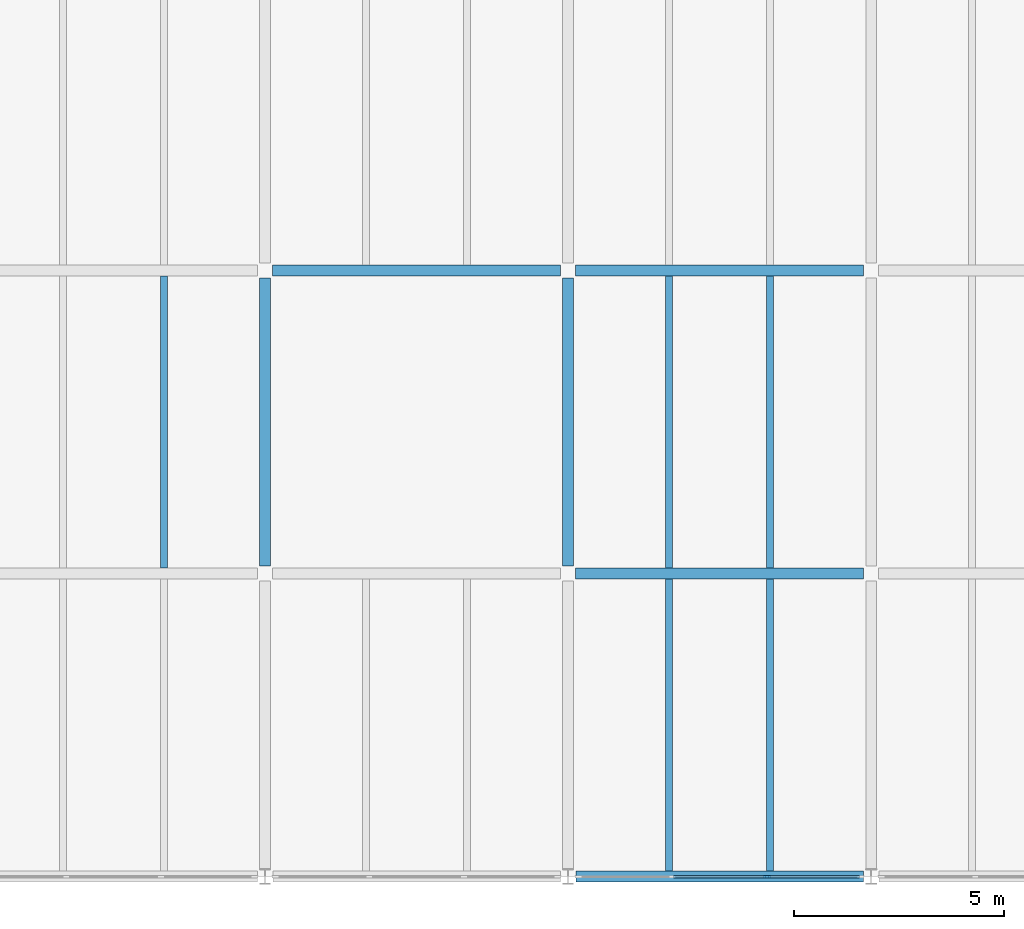
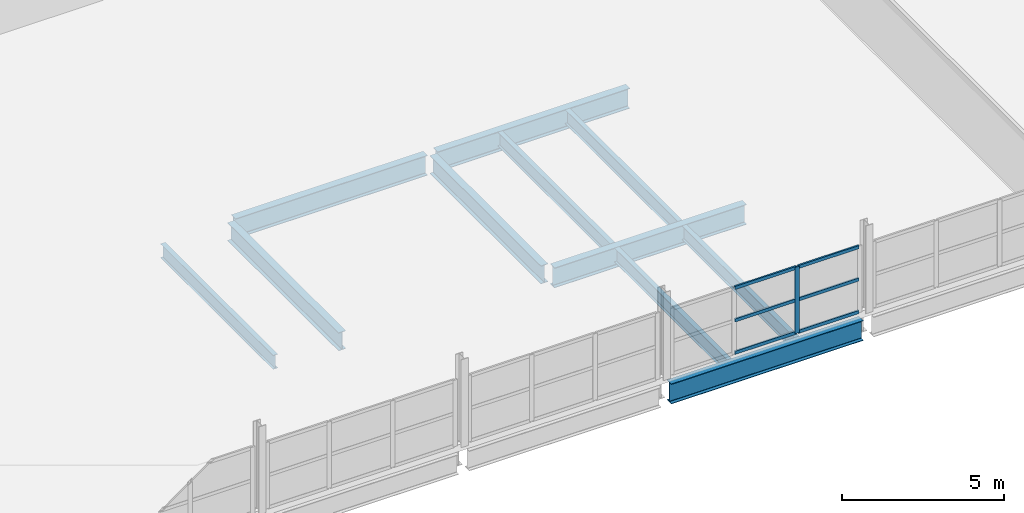
# One storey, part 11 of 25: 11 beams, 7 members, 1 element without a shape of its own.
"""IFC4 building model written with IfcOpenShell, lengths in metres."""

from ifc_helpers import new_model, si_unit, direction, frame, origin, origin_2d, place, context, subcontext, project, spatial, rectangle, i_section, extrude, material, material_profile, profile_set, type_object, element, aggregate, save


model = new_model("IFC4")

# Units and contexts
model_context = context("Model", 3, precision=1e-05, world=origin(), true_north=direction((0.0, 1.0)))
body_context = subcontext(model_context, "Body", "Model", "MODEL_VIEW")
ifc_project = project(units=[si_unit("LENGTHUNIT", "METRE"), si_unit("AREAUNIT", "SQUARE_METRE"), si_unit("VOLUMEUNIT", "CUBIC_METRE"), si_unit("PLANEANGLEUNIT", "RADIAN"), si_unit("MASSUNIT", "GRAM", prefix="KILO")], contexts=[model_context])

# Site, building, storey
site_placement = place(None, origin())
site = spatial("IfcSite", under=ifc_project, at=site_placement, CompositionType="ELEMENT")
building_placement = place(site_placement, origin())
building = spatial("IfcBuilding", under=site, at=building_placement, Name="Vaelcorin Mobility Hub", CompositionType="ELEMENT")
storey_placement = place(building_placement, frame((0.0, 0.0, 21.0)))
storey = spatial("IfcBuildingStorey", under=building, at=storey_placement, Name="L05", CompositionType="ELEMENT", Elevation=21.0)

# Beams
ifc_material_1 = material(Name="Steel ASTM A992 Grade 50", Category="steel")
ifc_material_profile_1 = material_profile(ifc_material_1, i_section(OverallWidth=0.166015625, OverallDepth=0.528076171875, WebThickness=0.009765625, FlangeThickness=0.013671875, FilletRadius=0.013916015625, at=origin_2d()), Name="W21X50")
ifc_profile_set_1 = profile_set([ifc_material_profile_1], Name="Steel ASTM A992 Grade 50")
beam_type_1 = type_object("IfcBeamType", Name="BM-W21X50", PredefinedType="JOIST", material=ifc_profile_set_1)
for number, where, z_axis, x_axis, name in (
    (1, (84.0, 91.33203125, -0.52392578125), (0.0, 1.0, 0.0), (-1.0, 0.0, 0.0), "L05 Beam V3-L05-J-06-02-2"),
    (2, (96.0, 84.132080078125, -0.52392578125), (0.0, 1.0, 0.0), (-1.0, 0.0, 0.0), "L05 Beam V3-L05-J-08-01-1"),
    (3, (98.39990234375, 84.132080078125, -0.52392578125), (0.0, 1.0, 0.0), (-1.0, 0.0, 0.0), "L05 Beam V3-L05-J-08-01-2"),
    (4, (96.0, 91.33203125, -0.52392578125), (0.0, 1.0, 0.0), (-1.0, 0.0, 0.0), "L05 Beam V3-L05-J-08-02-1"),
    (5, (98.39990234375, 91.33203125, -0.52392578125), (0.0, 1.0, 0.0), (-1.0, 0.0, 0.0), "L05 Beam V3-L05-J-08-02-2"),
):
    element("IfcBeam", number, at=place(storey_placement, frame(where, z_axis=z_axis, x_axis=x_axis)), inside=storey, type_object=beam_type_1, Name=name, PredefinedType="JOIST", context=body_context, shape_type="SweptSolid", body=[
        extrude(i_section(OverallWidth=0.166015625, OverallDepth=0.528076171875, WebThickness=0.009765625, FlangeThickness=0.013671875, FilletRadius=0.013916015625, at=origin_2d()), origin(), (0.0, 0.0, 1.0), 6.93603515625),
    ])
ifc_material_profile_2 = material_profile(ifc_material_1, i_section(OverallWidth=0.25390625, OverallDepth=0.68310546875, WebThickness=0.012451171875, FlangeThickness=0.018798828125, FilletRadius=0.01611328125, at=origin_2d()), Name="W27X94")
ifc_profile_set_2 = profile_set([ifc_material_profile_2], Name="Steel ASTM A992 Grade 50")
beam_type_2 = type_object("IfcBeamType", Name="BM-W27X94", PredefinedType="BEAM", material=ifc_profile_set_2)
for number, where, z_axis, x_axis, name in (
    (6, (86.39990234375, 91.3759765625, -0.60205078125), (0.0, 1.0, 0.0), (-1.0, 0.0, 0.0), "L05 Beam V3-L05-GY-07-02"),
    (7, (93.60009765625, 91.3759765625, -0.60205078125), (0.0, 1.0, 0.0), (-1.0, 0.0, 0.0), "L05 Beam V3-L05-GY-08-02"),
):
    element("IfcBeam", number, at=place(storey_placement, frame(where, z_axis=z_axis, x_axis=x_axis)), inside=storey, type_object=beam_type_2, Name=name, PredefinedType="BEAM", context=body_context, shape_type="SweptSolid", body=[
        extrude(i_section(OverallWidth=0.25390625, OverallDepth=0.68310546875, WebThickness=0.012451171875, FlangeThickness=0.018798828125, FilletRadius=0.01611328125, at=origin_2d()), origin(), (0.0, 0.0, 1.0), 6.84814453125),
    ])
ifc_material_profile_3 = material_profile(ifc_material_1, i_section(OverallWidth=0.26708984375, OverallDepth=0.757080078125, WebThickness=0.013916015625, FlangeThickness=0.019287109375, FilletRadius=0.01708984375, at=origin_2d()), Name="W30X108")
ifc_profile_set_3 = profile_set([ifc_material_profile_3], Name="Steel ASTM A992 Grade 50")
beam_type_3 = type_object("IfcBeamType", Name="BM-W30X108", PredefinedType="BEAM", material=ifc_profile_set_3)
beam_placement = place(storey_placement, frame((93.782958984375, 84.0, -0.637939453125), z_axis=(1.0, 0.0, 0.0), x_axis=(0.0, 1.0, 0.0)))
element("IfcBeam", 8, at=beam_placement, inside=storey, type_object=beam_type_3, Name="L05 Beam V3-L05-GX-01-08", PredefinedType="BEAM", context=body_context, shape_type="SweptSolid", body=[
    extrude(i_section(OverallWidth=0.26708984375, OverallDepth=0.757080078125, WebThickness=0.013916015625, FlangeThickness=0.019287109375, FilletRadius=0.01708984375, at=origin_2d()), origin(), (0.0, 0.0, 1.0), 6.8330078125),
])
for number, where, z_axis, x_axis, name in (
    (9, (93.781982421875, 91.199951171875, -0.637939453125), (1.0, 0.0, 0.0), (0.0, 1.0, 0.0), "L05 Beam V3-L05-GX-02-08"),
    (10, (86.58203125, 98.39990234375, -0.637939453125), (1.0, 0.0, 0.0), (0.0, 1.0, 0.0), "L05 Beam V3-L05-GX-03-07"),
    (11, (93.781982421875, 98.39990234375, -0.637939453125), (1.0, 0.0, 0.0), (0.0, 1.0, 0.0), "L05 Beam V3-L05-GX-03-08"),
):
    element("IfcBeam", number, at=place(storey_placement, frame(where, z_axis=z_axis, x_axis=x_axis)), inside=storey, type_object=beam_type_3, Name=name, PredefinedType="BEAM", context=body_context, shape_type="SweptSolid", body=[
        extrude(i_section(OverallWidth=0.26708984375, OverallDepth=0.757080078125, WebThickness=0.013916015625, FlangeThickness=0.019287109375, FilletRadius=0.01708984375, at=origin_2d()), origin(), (0.0, 0.0, 1.0), 6.8359375),
    ])

# Curtain wall, members
ifc_material_2 = material(Name="Anodised aluminium 6063-T6", Category="aluminium")
curtain_wall_type = type_object("IfcCurtainWallType", Name="CW-SPT-A", PredefinedType="NOTDEFINED", material=ifc_material_2)
curtain_wall_placement = place(storey_placement, origin())
curtain_wall = element("IfcCurtainWall", 12, at=curtain_wall_placement, inside=storey, type_object=curtain_wall_type, Name="L05 Curtain Wall CW-V3-S-08", PredefinedType="NOTDEFINED")
ifc_material_profile_4 = material_profile(ifc_material_2, rectangle(XDim=0.06005859375, YDim=0.159912109375, at=origin_2d()), Name="ALU-M60X160")
ifc_profile_set_4 = profile_set([ifc_material_profile_4], Name="Anodised aluminium 6063-T6")
member_type_1 = type_object("IfcMemberType", Name="CW-MULL-160", PredefinedType="MULLION", material=ifc_profile_set_4)
member_1_placement = place(storey_placement, frame((98.32666015625, 84.0, 0.0), z_axis=(0.0, 0.0, 1.0), x_axis=(0.0, -1.0, 0.0)))
member_1 = element("IfcMember", 13, at=member_1_placement, type_object=member_type_1, Name="CW5 mullion 2", PredefinedType="MULLION", context=body_context, shape_type="SweptSolid", body=[
    extrude(rectangle(XDim=0.06005859375, YDim=0.159912109375, at=origin_2d()), origin(), (0.0, 0.0, 1.0), 2.5),
])
ifc_material_profile_5 = material_profile(ifc_material_2, rectangle(XDim=0.06005859375, YDim=0.1201171875, at=origin_2d()), Name="ALU-T60X120")
ifc_profile_set_5 = profile_set([ifc_material_profile_5], Name="Anodised aluminium 6063-T6")
member_type_2 = type_object("IfcMemberType", Name="CW-TRAN-140", PredefinedType="USERDEFINED", material=ifc_profile_set_5)
member_2_placement = place(storey_placement, frame((100.52001953125, 84.0, 0.030029296875), z_axis=(-1.0, 0.0, 0.0), x_axis=(0.0, -1.0, 0.0)))
member_2 = element("IfcMember", 14, at=member_2_placement, type_object=member_type_2, Name="CW5 transom 1.1", ObjectType="TRANSOM", PredefinedType="USERDEFINED", context=body_context, shape_type="SweptSolid", body=[
    extrude(rectangle(XDim=0.06005859375, YDim=0.1201171875, at=origin_2d()), origin(), (0.0, 0.0, 1.0), 2.163330078125),
])
member_3_placement = place(storey_placement, frame((100.52001953125, 84.0, 1.25), z_axis=(-1.0, 0.0, 0.0), x_axis=(0.0, -1.0, 0.0)))
member_3 = element("IfcMember", 15, at=member_3_placement, type_object=member_type_2, Name="CW5 transom 1.2", ObjectType="TRANSOM", PredefinedType="USERDEFINED", context=body_context, shape_type="SweptSolid", body=[
    extrude(rectangle(XDim=0.06005859375, YDim=0.1201171875, at=origin_2d()), origin(), (0.0, 0.0, 1.0), 2.163330078125),
])
member_4_placement = place(storey_placement, frame((100.52001953125, 84.0, 2.469970703125), z_axis=(-1.0, 0.0, 0.0), x_axis=(0.0, -1.0, 0.0)))
member_4 = element("IfcMember", 16, at=member_4_placement, type_object=member_type_2, Name="CW5 transom 1.3", ObjectType="TRANSOM", PredefinedType="USERDEFINED", context=body_context, shape_type="SweptSolid", body=[
    extrude(rectangle(XDim=0.06005859375, YDim=0.1201171875, at=origin_2d()), origin(), (0.0, 0.0, 1.0), 2.163330078125),
])
member_5_placement = place(storey_placement, frame((98.296630859375, 84.0, 0.030029296875), z_axis=(-1.0, 0.0, 0.0), x_axis=(0.0, -1.0, 0.0)))
member_5 = element("IfcMember", 17, at=member_5_placement, type_object=member_type_2, Name="CW5 transom 2.1", ObjectType="TRANSOM", PredefinedType="USERDEFINED", context=body_context, shape_type="SweptSolid", body=[
    extrude(rectangle(XDim=0.06005859375, YDim=0.1201171875, at=origin_2d()), origin(), (0.0, 0.0, 1.0), 2.193359375),
])
member_6_placement = place(storey_placement, frame((98.296630859375, 84.0, 1.25), z_axis=(-1.0, 0.0, 0.0), x_axis=(0.0, -1.0, 0.0)))
member_6 = element("IfcMember", 18, at=member_6_placement, type_object=member_type_2, Name="CW5 transom 2.2", ObjectType="TRANSOM", PredefinedType="USERDEFINED", context=body_context, shape_type="SweptSolid", body=[
    extrude(rectangle(XDim=0.06005859375, YDim=0.1201171875, at=origin_2d()), origin(), (0.0, 0.0, 1.0), 2.193359375),
])
member_7_placement = place(storey_placement, frame((98.296630859375, 84.0, 2.469970703125), z_axis=(-1.0, 0.0, 0.0), x_axis=(0.0, -1.0, 0.0)))
member_7 = element("IfcMember", 19, at=member_7_placement, type_object=member_type_2, Name="CW5 transom 2.3", ObjectType="TRANSOM", PredefinedType="USERDEFINED", context=body_context, shape_type="SweptSolid", body=[
    extrude(rectangle(XDim=0.06005859375, YDim=0.1201171875, at=origin_2d()), origin(), (0.0, 0.0, 1.0), 2.193359375),
])
aggregate(curtain_wall, [member_1, member_2, member_3, member_4, member_5, member_6, member_7])

save(model, "model.ifc")
